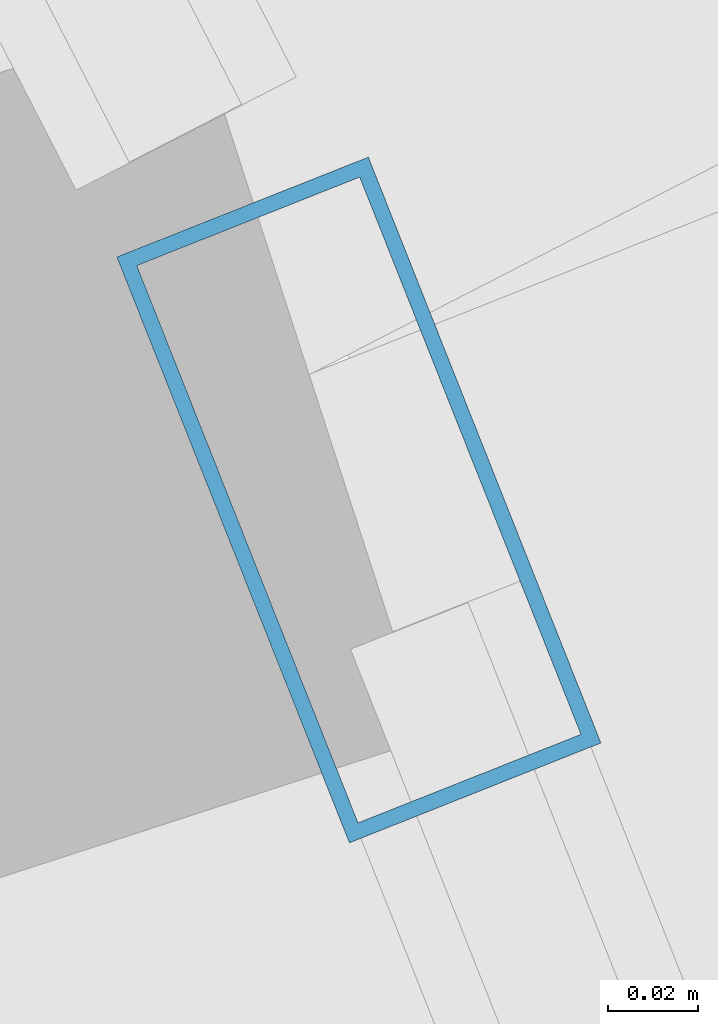
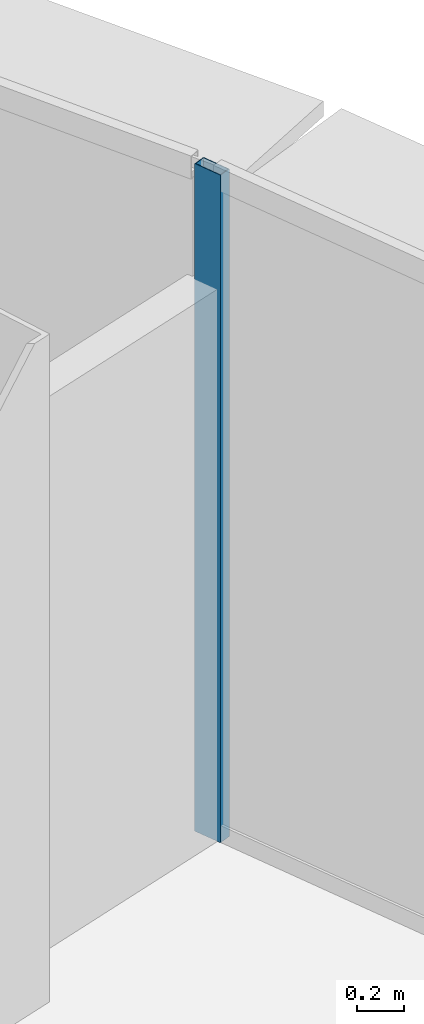
# One storey, part 15 of 29: 1 member, 1 element without a shape of its own.
"""IFC4 building model written with IfcOpenShell, lengths in metres."""

from ifc_helpers import new_model, si_unit, direction, frame, origin, origin_2d, place, context, subcontext, project, spatial, hollow_rectangle, extrude, source, transform, mapped, material, layer, layer_set, material_profile, profile_set, type_object, element, aggregate, save


model = new_model("IFC4")

# Units and contexts
model_context = context("Model", 3, precision=1e-05, world=origin(), true_north=direction((0.0, 1.0)))
body_context = subcontext(model_context, "Body", "Model", "MODEL_VIEW")
ifc_project = project(units=[si_unit("LENGTHUNIT", "METRE"), si_unit("AREAUNIT", "SQUARE_METRE"), si_unit("VOLUMEUNIT", "CUBIC_METRE"), si_unit("PLANEANGLEUNIT", "RADIAN"), si_unit("MASSUNIT", "GRAM", prefix="KILO"), si_unit("THERMODYNAMICTEMPERATUREUNIT", "KELVIN"), si_unit("POWERUNIT", "WATT")], contexts=[model_context])

# Site, building, storey
site_placement = place(None, origin())
site = spatial("IfcSite", under=ifc_project, at=site_placement, CompositionType="ELEMENT")
building_placement = place(site_placement, origin())
building = spatial("IfcBuilding", under=site, at=building_placement, Name="Yunzhuo Pagoda Commons", CompositionType="ELEMENT")
storey_placement = place(building_placement, frame((0.0, 0.0, 363.010009765625)))
storey = spatial("IfcBuildingStorey", under=building, at=storey_placement, Name="L91", CompositionType="ELEMENT", Elevation=363.010009765625)

# Curtain wall, member
ifc_material = material(Name="Anodized aluminium 6063-T6", Category="aluminium")
ifc_layer = layer(ifc_material, 0.139892578125)
ifc_layer_set = layer_set([ifc_layer], Name="Anodized aluminium 6063-T6")
curtain_wall_type = type_object("IfcCurtainWallType", Name="CW-HI High-Zone Ribbon Curtain Wall", PredefinedType="NOTDEFINED", material=ifc_layer_set)
curtain_wall_placement = place(storey_placement, origin())
curtain_wall = element("IfcCurtainWall", 1, at=curtain_wall_placement, inside=storey, type_object=curtain_wall_type, Name="L91 curtain wall CW-L91-F2B2", PredefinedType="NOTDEFINED")
ifc_material_profile = material_profile(ifc_material, hollow_rectangle(XDim=0.06005859375, YDim=0.139892578125, WallThickness=0.00341796875, at=origin_2d()), Name="Anodized aluminium 6063-T6")
ifc_profile_set = profile_set([ifc_material_profile], Name="Anodized aluminium 6063-T6")
member_type = type_object("IfcMemberType", Name="CW-HI-M Mullion RHS 140x60x3.5", PredefinedType="MULLION", material=ifc_profile_set)
shared_shape = source(origin(), body_context, "Body", "SweptSolid", [
    extrude(hollow_rectangle(XDim=0.06005859375, YDim=0.139892578125, WallThickness=0.00341796875, at=origin_2d()), origin(), (0.0, 0.0, 1.0), 3.47021484375),
])
member_placement = place(storey_placement, frame((69.715576171875, 40.724365234375, 0.0), z_axis=(0.0, 0.0, 1.0), x_axis=(-0.929441197274, -0.368970270902, 0.0)))
member = element("IfcMember", 2, at=member_placement, type_object=member_type, Name="CW mullion 2", PredefinedType="MULLION", context=body_context, shape_type="MappedRepresentation", body=[
    mapped(shared_shape, transform((0.0, 0.0, 0.0), scale=1.0)),
])
aggregate(curtain_wall, [member])

save(model, "model.ifc")
